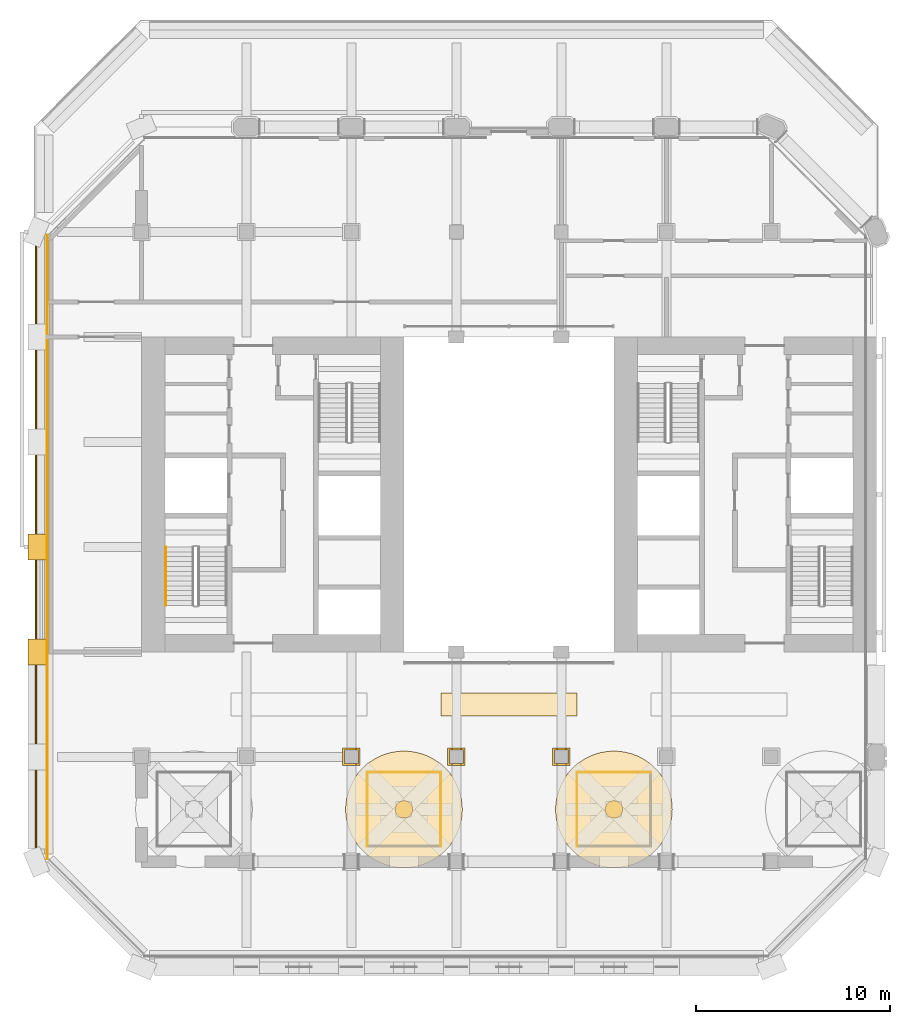
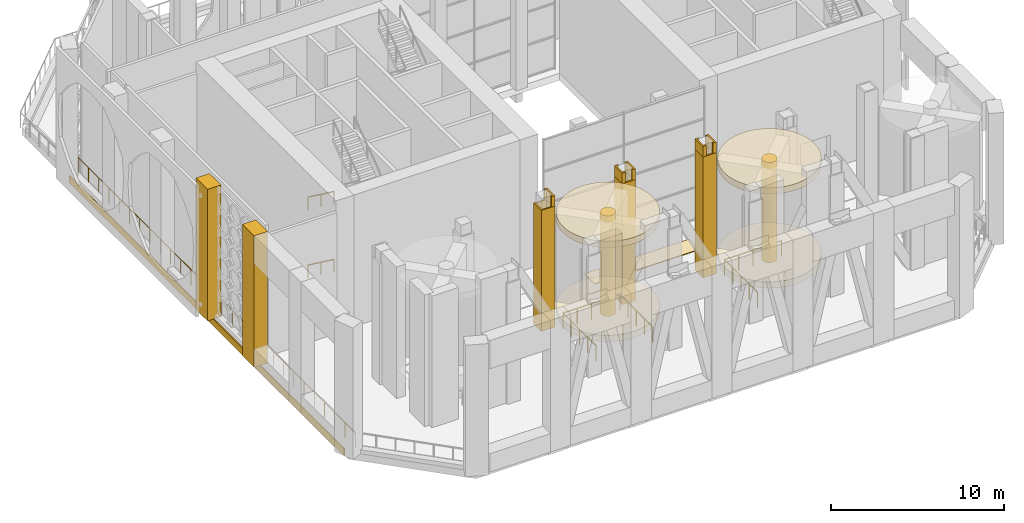
# One storey, part 22 of 28: 18 coverings, 8 railings.
"""IFC4 building model written with IfcOpenShell, lengths in metres."""

from ifc_helpers import new_model, si_unit, direction, frame, frame_2d, origin, origin_2d, place, context, subcontext, project, spatial, polyline, rectangle, circle, outline, extrude, material, layer, layer_set, material_profile, profile_set, type_object, element, save


model = new_model("IFC4")

# Units and contexts
model_context = context("Model", 3, precision=1e-05, world=origin(), true_north=direction((0.0, 1.0)))
body_context = subcontext(model_context, "Body", "Model", "MODEL_VIEW")
ifc_project = project(units=[si_unit("LENGTHUNIT", "METRE"), si_unit("AREAUNIT", "SQUARE_METRE"), si_unit("VOLUMEUNIT", "CUBIC_METRE"), si_unit("PLANEANGLEUNIT", "RADIAN"), si_unit("MASSUNIT", "GRAM", prefix="KILO")], contexts=[model_context])

# Site, building, storey
site_placement = place(None, origin())
site = spatial("IfcSite", under=ifc_project, at=site_placement, CompositionType="ELEMENT")
building_placement = place(site_placement, origin())
building = spatial("IfcBuilding", under=site, at=building_placement, Name="Tabaq Tower and Sports Hall", CompositionType="ELEMENT")
storey_placement = place(building_placement, frame((0.0, 0.0, 233.5)))
storey = spatial("IfcBuildingStorey", under=building, at=storey_placement, Name="L59", CompositionType="ELEMENT", Elevation=233.5)

# Coverings
ifc_material_1 = material(Name="Precast concrete C60/75", Category="concrete")
ifc_layer_1 = layer(ifc_material_1, 0.10009765625)
ifc_layer_set_1 = layer_set([ifc_layer_1], Name="Column cladding 100")
covering_type_1 = type_object("IfcCoveringType", Name="Column cladding 100", PredefinedType="CLADDING", material=ifc_layer_set_1)
covering_1_placement = place(storey_placement, origin())
element("IfcCovering", 1, at=covering_1_placement, inside=storey, type_object=covering_type_1, Name="Column cladding L59 CC-4C-S2", PredefinedType="CLADDING", context=body_context, shape_type="SweptSolid", body=[
    extrude(outline(polyline([(15.750244140625, 11.249755859375), (16.649658203125, 11.249755859375), (16.649658203125, 10.350341796875), (15.750244140625, 10.350341796875), (15.750244140625, 11.249755859375)]), holes=[polyline([(16.55029296875, 10.44970703125), (16.55029296875, 11.150390625), (15.849609375, 11.150390625), (15.849609375, 10.44970703125), (16.55029296875, 10.44970703125)])]), origin(), (0.0, 0.0, 1.0), 8.550048828125),
])
covering_2_placement = place(storey_placement, frame((0.0, 0.0, 8.550048828125)))
element("IfcCovering", 2, at=covering_2_placement, inside=storey, type_object=covering_type_1, Name="Column cladding L59 CC-4C-S2 head", PredefinedType="CLADDING", context=body_context, shape_type="SweptSolid", body=[
    extrude(outline(polyline([(16.425537109375, 10.449462890625), (16.550537109375, 10.449462890625), (16.550537109375, 11.150634765625), (16.425537109375, 11.150634765625), (16.425537109375, 11.24951171875), (16.6494140625, 11.24951171875), (16.6494140625, 10.3505859375), (16.425537109375, 10.3505859375), (16.425537109375, 10.449462890625)])), origin(), (0.0, 0.0, 1.0), 0.75),
])
covering_3_placement = place(storey_placement, origin())
element("IfcCovering", 3, at=covering_3_placement, inside=storey, type_object=covering_type_1, Name="Column cladding L59 CC-5C-S2", PredefinedType="CLADDING", context=body_context, shape_type="SweptSolid", body=[
    extrude(outline(polyline([(21.150390625, 11.249755859375), (22.0498046875, 11.249755859375), (22.0498046875, 10.350341796875), (21.150390625, 10.350341796875), (21.150390625, 11.249755859375)]), holes=[polyline([(21.9501953125, 10.44970703125), (21.9501953125, 11.150390625), (21.249755859375, 11.150390625), (21.249755859375, 10.44970703125), (21.9501953125, 10.44970703125)])]), origin(), (0.0, 0.0, 1.0), 8.550048828125),
])
covering_4_placement = place(storey_placement, frame((0.0, 0.0, 8.550048828125)))
element("IfcCovering", 4, at=covering_4_placement, inside=storey, type_object=covering_type_1, Name="Column cladding L59 CC-5C-S2 head", PredefinedType="CLADDING", context=body_context, shape_type="SweptSolid", body=[
    extrude(outline(polyline([(21.37451171875, 10.449462890625), (21.37451171875, 10.3505859375), (21.150634765625, 10.3505859375), (21.150634765625, 11.24951171875), (21.37451171875, 11.24951171875), (21.37451171875, 11.150634765625), (21.24951171875, 11.150634765625), (21.24951171875, 10.449462890625), (21.37451171875, 10.449462890625)])), origin(), (0.0, 0.0, 1.0), 0.75),
])
covering_5_placement = place(storey_placement, frame((0.0, 0.0, 8.550048828125)))
element("IfcCovering", 5, at=covering_5_placement, inside=storey, type_object=covering_type_1, Name="Column cladding L59 CC-5C-S2 head 2", PredefinedType="CLADDING", context=body_context, shape_type="SweptSolid", body=[
    extrude(outline(polyline([(21.82568359375, 10.449462890625), (21.95068359375, 10.449462890625), (21.95068359375, 11.150634765625), (21.82568359375, 11.150634765625), (21.82568359375, 11.24951171875), (22.04931640625, 11.24951171875), (22.04931640625, 10.3505859375), (21.82568359375, 10.3505859375), (21.82568359375, 10.449462890625)])), origin(), (0.0, 0.0, 1.0), 0.75),
])
covering_6_placement = place(storey_placement, origin())
element("IfcCovering", 6, at=covering_6_placement, inside=storey, type_object=covering_type_1, Name="Column cladding L59 CC-6C-S2", PredefinedType="CLADDING", context=body_context, shape_type="SweptSolid", body=[
    extrude(outline(polyline([(26.55029296875, 11.249755859375), (27.44970703125, 11.249755859375), (27.44970703125, 10.350341796875), (26.55029296875, 10.350341796875), (26.55029296875, 11.249755859375)]), holes=[polyline([(27.350341796875, 10.44970703125), (27.350341796875, 11.150390625), (26.649658203125, 11.150390625), (26.649658203125, 10.44970703125), (27.350341796875, 10.44970703125)])]), origin(), (0.0, 0.0, 1.0), 8.550048828125),
])
covering_7_placement = place(storey_placement, frame((0.0, 0.0, 8.550048828125)))
element("IfcCovering", 7, at=covering_7_placement, inside=storey, type_object=covering_type_1, Name="Column cladding L59 CC-6C-S2 head", PredefinedType="CLADDING", context=body_context, shape_type="SweptSolid", body=[
    extrude(outline(polyline([(26.7744140625, 10.449462890625), (26.7744140625, 10.3505859375), (26.550537109375, 10.3505859375), (26.550537109375, 11.24951171875), (26.7744140625, 11.24951171875), (26.7744140625, 11.150634765625), (26.6494140625, 11.150634765625), (26.6494140625, 10.449462890625), (26.7744140625, 10.449462890625)])), origin(), (0.0, 0.0, 1.0), 0.75),
])
covering_8_placement = place(storey_placement, frame((0.0, 0.0, 8.550048828125)))
element("IfcCovering", 8, at=covering_8_placement, inside=storey, type_object=covering_type_1, Name="Column cladding L59 CC-6C-S2 head 2", PredefinedType="CLADDING", context=body_context, shape_type="SweptSolid", body=[
    extrude(outline(polyline([(27.2255859375, 10.449462890625), (27.3505859375, 10.449462890625), (27.3505859375, 11.150634765625), (27.2255859375, 11.150634765625), (27.2255859375, 11.24951171875), (27.449462890625, 11.24951171875), (27.449462890625, 10.3505859375), (27.2255859375, 10.3505859375), (27.2255859375, 10.449462890625)])), origin(), (0.0, 0.0, 1.0), 0.75),
])
ifc_material_2 = material(Name="Precast concrete C60/75", Category="concrete")
ifc_layer_2 = layer(ifc_material_2, 0.06005859375)
ifc_layer_set_2 = layer_set([ifc_layer_2], Name="Edge beam cladding 60")
covering_type_2 = type_object("IfcCoveringType", Name="Edge beam cladding 60", PredefinedType="CLADDING", material=ifc_layer_set_2)
covering_9_placement = place(storey_placement, frame((-0.030029296875, 37.63818359375, -0.5), z_axis=(0.0, 0.0, 1.0), x_axis=(0.0, -1.0, 0.0)))
element("IfcCovering", 9, at=covering_9_placement, inside=storey, type_object=covering_type_2, Name="Edge beam cladding L59 1", PredefinedType="CLADDING", context=body_context, shape_type="SweptSolid", body=[
    extrude(rectangle(XDim=31.836181640625, YDim=0.06005859375, at=frame_2d((15.91796875, 0.0))), origin(), (0.0, 0.0, 1.0), 0.5),
])

# Railings
ifc_material_3 = material(Name="Stainless steel S316 and laminated glass", Category="steel")
railing_type_1 = type_object("IfcRailingType", Name="Guard 1100 steel and glass", PredefinedType="GUARDRAIL", material=ifc_material_3)
railing_1_placement = place(storey_placement, frame((0.550048828125, 37.63427734375, 0.0)))
element("IfcRailing", 10, at=railing_1_placement, inside=storey, type_object=railing_type_1, Name="Guard L59 W", PredefinedType="GUARDRAIL", context=body_context, shape_type="SweptSolid", body=[
    extrude(circle(Radius=0.02490234375, at=origin_2d()), frame((0.0, 0.0, 1.0751953125), z_axis=(0.0, -1.0, 0.0), x_axis=(1.0, 0.0, 0.0)), (0.0, 0.0, 1.0), 32.068603515625),
    extrude(circle(Radius=0.02001953125, at=origin_2d()), origin(), (0.0, 0.0, 1.0), 1.050048828125),
    extrude(circle(Radius=0.02001953125, at=origin_2d()), frame((0.0, -1.187744140625, 0.0)), (0.0, 0.0, 1.0), 1.050048828125),
    extrude(circle(Radius=0.02001953125, at=origin_2d()), frame((0.0, -2.37548828125, 0.0)), (0.0, 0.0, 1.0), 1.050048828125),
    extrude(circle(Radius=0.02001953125, at=origin_2d()), frame((0.0, -3.563232421875, 0.0)), (0.0, 0.0, 1.0), 1.050048828125),
    extrude(circle(Radius=0.02001953125, at=origin_2d()), frame((0.0, -4.7509765625, 0.0)), (0.0, 0.0, 1.0), 1.050048828125),
    extrude(circle(Radius=0.02001953125, at=origin_2d()), frame((0.0, -5.938720703125, 0.0)), (0.0, 0.0, 1.0), 1.050048828125),
    extrude(circle(Radius=0.02001953125, at=origin_2d()), frame((0.0, -7.12646484375, 0.0)), (0.0, 0.0, 1.0), 1.050048828125),
    extrude(circle(Radius=0.02001953125, at=origin_2d()), frame((0.0, -8.31396484375, 0.0)), (0.0, 0.0, 1.0), 1.050048828125),
    extrude(circle(Radius=0.02001953125, at=origin_2d()), frame((0.0, -9.501708984375, 0.0)), (0.0, 0.0, 1.0), 1.050048828125),
    extrude(circle(Radius=0.02001953125, at=origin_2d()), frame((0.0, -10.689453125, 0.0)), (0.0, 0.0, 1.0), 1.050048828125),
    extrude(circle(Radius=0.02001953125, at=origin_2d()), frame((0.0, -11.877197265625, 0.0)), (0.0, 0.0, 1.0), 1.050048828125),
    extrude(circle(Radius=0.02001953125, at=origin_2d()), frame((0.0, -13.06494140625, 0.0)), (0.0, 0.0, 1.0), 1.050048828125),
    extrude(circle(Radius=0.02001953125, at=origin_2d()), frame((0.0, -14.252685546875, 0.0)), (0.0, 0.0, 1.0), 1.050048828125),
    extrude(circle(Radius=0.02001953125, at=origin_2d()), frame((0.0, -15.4404296875, 0.0)), (0.0, 0.0, 1.0), 1.050048828125),
    extrude(circle(Radius=0.02001953125, at=origin_2d()), frame((0.0, -16.628173828125, 0.0)), (0.0, 0.0, 1.0), 1.050048828125),
    extrude(circle(Radius=0.02001953125, at=origin_2d()), frame((0.0, -17.81591796875, 0.0)), (0.0, 0.0, 1.0), 1.050048828125),
    extrude(circle(Radius=0.02001953125, at=origin_2d()), frame((0.0, -19.003662109375, 0.0)), (0.0, 0.0, 1.0), 1.050048828125),
    extrude(circle(Radius=0.02001953125, at=origin_2d()), frame((0.0, -20.19140625, 0.0)), (0.0, 0.0, 1.0), 1.050048828125),
    extrude(circle(Radius=0.02001953125, at=origin_2d()), frame((0.0, -21.379150390625, 0.0)), (0.0, 0.0, 1.0), 1.050048828125),
    extrude(circle(Radius=0.02001953125, at=origin_2d()), frame((0.0, -22.56689453125, 0.0)), (0.0, 0.0, 1.0), 1.050048828125),
    extrude(circle(Radius=0.02001953125, at=origin_2d()), frame((0.0, -23.754638671875, 0.0)), (0.0, 0.0, 1.0), 1.050048828125),
    extrude(circle(Radius=0.02001953125, at=origin_2d()), frame((0.0, -24.942138671875, 0.0)), (0.0, 0.0, 1.0), 1.050048828125),
    extrude(circle(Radius=0.02001953125, at=origin_2d()), frame((0.0, -26.1298828125, 0.0)), (0.0, 0.0, 1.0), 1.050048828125),
    extrude(circle(Radius=0.02001953125, at=origin_2d()), frame((0.0, -27.317626953125, 0.0)), (0.0, 0.0, 1.0), 1.050048828125),
    extrude(circle(Radius=0.02001953125, at=origin_2d()), frame((0.0, -28.50537109375, 0.0)), (0.0, 0.0, 1.0), 1.050048828125),
    extrude(circle(Radius=0.02001953125, at=origin_2d()), frame((0.0, -29.693115234375, 0.0)), (0.0, 0.0, 1.0), 1.050048828125),
    extrude(circle(Radius=0.02001953125, at=origin_2d()), frame((0.0, -30.880859375, 0.0)), (0.0, 0.0, 1.0), 1.050048828125),
    extrude(circle(Radius=0.02001953125, at=origin_2d()), frame((0.0, -32.068603515625, 0.0)), (0.0, 0.0, 1.0), 1.050048828125),
])
railing_2_placement = place(storey_placement, frame((20.800048828125, 6.199951171875, 0.0)))
element("IfcRailing", 11, at=railing_2_placement, inside=storey, type_object=railing_type_1, Name="Turbine guard 2", PredefinedType="GUARDRAIL", context=body_context, shape_type="SweptSolid", body=[
    extrude(circle(Radius=0.02490234375, at=origin_2d()), frame((0.0, 0.0, 1.0751953125), z_axis=(0.0, 1.0, 0.0), x_axis=(-1.0, 0.0, 0.0)), (0.0, 0.0, 1.0), 3.800048828125),
    extrude(circle(Radius=0.02001953125, at=origin_2d()), origin(), (0.0, 0.0, 1.0), 1.050048828125),
    extrude(circle(Radius=0.02001953125, at=origin_2d()), frame((0.0, 0.949951171875, 0.0)), (0.0, 0.0, 1.0), 1.050048828125),
    extrude(circle(Radius=0.02001953125, at=origin_2d()), frame((0.0, 1.89990234375, 0.0)), (0.0, 0.0, 1.0), 1.050048828125),
    extrude(circle(Radius=0.02001953125, at=origin_2d()), frame((0.0, 2.85009765625, 0.0)), (0.0, 0.0, 1.0), 1.050048828125),
    extrude(circle(Radius=0.02001953125, at=origin_2d()), frame((0.0, 3.800048828125, 0.0)), (0.0, 0.0, 1.0), 1.050048828125),
])
railing_3_placement = place(storey_placement, frame((20.800048828125, 10.0, 0.0)))
element("IfcRailing", 12, at=railing_3_placement, inside=storey, type_object=railing_type_1, Name="Turbine guard 2", PredefinedType="GUARDRAIL", context=body_context, shape_type="SweptSolid", body=[
    extrude(circle(Radius=0.02490234375, at=origin_2d()), frame((0.0, 0.0, 1.0751953125), z_axis=(-1.0, 0.0, 0.0), x_axis=(0.0, -1.0, 0.0)), (0.0, 0.0, 1.0), 3.800048828125),
    extrude(circle(Radius=0.02001953125, at=origin_2d()), origin(), (0.0, 0.0, 1.0), 1.050048828125),
    extrude(circle(Radius=0.02001953125, at=origin_2d()), frame((-0.949951171875, 0.0, 0.0)), (0.0, 0.0, 1.0), 1.050048828125),
    extrude(circle(Radius=0.02001953125, at=origin_2d()), frame((-1.89990234375, 0.0, 0.0)), (0.0, 0.0, 1.0), 1.050048828125),
    extrude(circle(Radius=0.02001953125, at=origin_2d()), frame((-2.85009765625, 0.0, 0.0)), (0.0, 0.0, 1.0), 1.050048828125),
    extrude(circle(Radius=0.02001953125, at=origin_2d()), frame((-3.800048828125, 0.0, 0.0)), (0.0, 0.0, 1.0), 1.050048828125),
])
railing_4_placement = place(storey_placement, frame((17.0, 10.0, 0.0)))
element("IfcRailing", 13, at=railing_4_placement, inside=storey, type_object=railing_type_1, Name="Turbine guard 2", PredefinedType="GUARDRAIL", context=body_context, shape_type="SweptSolid", body=[
    extrude(circle(Radius=0.02490234375, at=origin_2d()), frame((0.0, 0.0, 1.0751953125), z_axis=(0.0, -1.0, 0.0), x_axis=(1.0, 0.0, 0.0)), (0.0, 0.0, 1.0), 3.800048828125),
    extrude(circle(Radius=0.02001953125, at=origin_2d()), origin(), (0.0, 0.0, 1.0), 1.050048828125),
    extrude(circle(Radius=0.02001953125, at=origin_2d()), frame((0.0, -0.949951171875, 0.0)), (0.0, 0.0, 1.0), 1.050048828125),
    extrude(circle(Radius=0.02001953125, at=origin_2d()), frame((0.0, -1.89990234375, 0.0)), (0.0, 0.0, 1.0), 1.050048828125),
    extrude(circle(Radius=0.02001953125, at=origin_2d()), frame((0.0, -2.85009765625, 0.0)), (0.0, 0.0, 1.0), 1.050048828125),
    extrude(circle(Radius=0.02001953125, at=origin_2d()), frame((0.0, -3.800048828125, 0.0)), (0.0, 0.0, 1.0), 1.050048828125),
])
railing_5_placement = place(storey_placement, frame((31.60009765625, 10.0, 0.0)))
element("IfcRailing", 14, at=railing_5_placement, inside=storey, type_object=railing_type_1, Name="Turbine guard 3", PredefinedType="GUARDRAIL", context=body_context, shape_type="SweptSolid", body=[
    extrude(circle(Radius=0.02490234375, at=origin_2d()), frame((0.0, 0.0, 1.0751953125), z_axis=(-1.0, 0.0, 0.0), x_axis=(0.0, -1.0, 0.0)), (0.0, 0.0, 1.0), 3.800048828125),
    extrude(circle(Radius=0.02001953125, at=origin_2d()), origin(), (0.0, 0.0, 1.0), 1.050048828125),
    extrude(circle(Radius=0.02001953125, at=origin_2d()), frame((-0.949951171875, 0.0, 0.0)), (0.0, 0.0, 1.0), 1.050048828125),
    extrude(circle(Radius=0.02001953125, at=origin_2d()), frame((-1.89990234375, 0.0, 0.0)), (0.0, 0.0, 1.0), 1.050048828125),
    extrude(circle(Radius=0.02001953125, at=origin_2d()), frame((-2.85009765625, 0.0, 0.0)), (0.0, 0.0, 1.0), 1.050048828125),
    extrude(circle(Radius=0.02001953125, at=origin_2d()), frame((-3.800048828125, 0.0, 0.0)), (0.0, 0.0, 1.0), 1.050048828125),
])
railing_6_placement = place(storey_placement, frame((27.800048828125, 10.0, 0.0)))
element("IfcRailing", 15, at=railing_6_placement, inside=storey, type_object=railing_type_1, Name="Turbine guard 3", PredefinedType="GUARDRAIL", context=body_context, shape_type="SweptSolid", body=[
    extrude(circle(Radius=0.02490234375, at=origin_2d()), frame((0.0, 0.0, 1.0751953125), z_axis=(0.0, -1.0, 0.0), x_axis=(1.0, 0.0, 0.0)), (0.0, 0.0, 1.0), 3.800048828125),
    extrude(circle(Radius=0.02001953125, at=origin_2d()), origin(), (0.0, 0.0, 1.0), 1.050048828125),
    extrude(circle(Radius=0.02001953125, at=origin_2d()), frame((0.0, -0.949951171875, 0.0)), (0.0, 0.0, 1.0), 1.050048828125),
    extrude(circle(Radius=0.02001953125, at=origin_2d()), frame((0.0, -1.89990234375, 0.0)), (0.0, 0.0, 1.0), 1.050048828125),
    extrude(circle(Radius=0.02001953125, at=origin_2d()), frame((0.0, -2.85009765625, 0.0)), (0.0, 0.0, 1.0), 1.050048828125),
    extrude(circle(Radius=0.02001953125, at=origin_2d()), frame((0.0, -3.800048828125, 0.0)), (0.0, 0.0, 1.0), 1.050048828125),
])

# Coverings
ifc_material_4 = material(Name="White precast concrete C60/75", Category="concrete")
covering_type_3 = type_object("IfcCoveringType", Name="Pier cladding hung 1350x900", PredefinedType="CLADDING", material=ifc_material_4)
covering_10_placement = place(storey_placement, frame((0.0, 16.875, 0.0), z_axis=(0.0, 0.0, 1.0), x_axis=(0.0, -1.0, 0.0)))
element("IfcCovering", 16, at=covering_10_placement, inside=storey, type_object=covering_type_3, Name="Hung pier cladding 0/3", PredefinedType="CLADDING", context=body_context, shape_type="SweptSolid", body=[
    extrude(rectangle(XDim=1.35009765625, YDim=0.89990234375, at=frame_2d((0.675048828125, 0.0))), origin(), (0.0, 0.0, 1.0), 9.300048828125),
])
covering_11_placement = place(storey_placement, frame((0.0, 22.27490234375, 0.0), z_axis=(0.0, 0.0, 1.0), x_axis=(0.0, -1.0, 0.0)))
element("IfcCovering", 17, at=covering_11_placement, inside=storey, type_object=covering_type_3, Name="Hung pier cladding 0/4", PredefinedType="CLADDING", context=body_context, shape_type="SweptSolid", body=[
    extrude(rectangle(XDim=1.349853515625, YDim=0.89990234375, at=frame_2d((0.6748046875, 0.0))), origin(), (0.0, 0.0, 1.0), 9.300048828125),
])

# Railings
ifc_material_5 = material(Name="Stainless steel", Category="steel")
railing_type_2 = type_object("IfcRailingType", Name="Stair handrail", PredefinedType="HANDRAIL", material=ifc_material_5)
for number, where, name in (
    (18, (6.64990234375, 21.60009765625, 0.1845703125), "L59 ST1 stair handrail 1"),
    (19, (6.64990234375, 21.60009765625, 4.984619140625), "L59 ST1 stair handrail 3"),
):
    element("IfcRailing", number, at=place(storey_placement, frame(where)), inside=storey, type_object=railing_type_2, Name=name, PredefinedType="HANDRAIL", context=body_context, shape_type="SweptSolid", body=[
        extrude(circle(Radius=0.02392578125, at=origin_2d()), frame((0.0, 0.0, 0.8759765625), z_axis=(0.0, -0.804440004972, 0.594033903411), x_axis=(1.0, 0.0, 0.0)), (0.0, 0.0, 1.0), 3.729248046875),
        extrude(circle(Radius=0.02099609375, at=origin_2d()), origin(), (0.0, 0.0, 1.0), 0.851806640625),
        extrude(circle(Radius=0.02099609375, at=origin_2d()), frame((0.0, -1.5, 1.107666015625)), (0.0, 0.0, 1.0), 0.851806640625),
        extrude(circle(Radius=0.02099609375, at=origin_2d()), frame((0.0, -3.0, 2.21533203125)), (0.0, 0.0, 1.0), 0.851806640625),
    ])

# Coverings
ifc_material_6 = material(Name="Galvanised steel grating", Category="steel")
ifc_layer_3 = layer(ifc_material_6, 0.050048828125)
ifc_layer_set_3 = layer_set([ifc_layer_3], Name="Walkway grating WG1")
covering_type_4 = type_object("IfcCoveringType", Name="Walkway grating WG1", PredefinedType="FLOORING", material=ifc_layer_set_3)
covering_12_placement = place(storey_placement, frame((24.300048828125, 13.5, 0.0), z_axis=(0.0, 0.0, 1.0), x_axis=(1.0, 0.0, 0.0)))
element("IfcCovering", 20, at=covering_12_placement, inside=storey, type_object=covering_type_4, Name="Maintenance walkway", PredefinedType="FLOORING", context=body_context, shape_type="SweptSolid", body=[
    extrude(rectangle(XDim=7.0, YDim=1.199951171875, at=origin_2d()), origin(), (0.0, 0.0, 1.0), 0.050048828125),
])
ifc_material_7 = material(Name="Galvanised steel tube", Category="steel")
ifc_material_profile_1 = material_profile(ifc_material_7, circle(Radius=0.449951171875, at=origin_2d()), Name="Wind turbine mast 900 steel tube")
ifc_profile_set_1 = profile_set([ifc_material_profile_1], Name="Galvanised steel tube")
covering_type_5 = type_object("IfcCoveringType", Name="Wind turbine mast 900 steel tube", PredefinedType="USERDEFINED", material=ifc_profile_set_1)
for number, where, z_axis, x_axis, name in (
    (21, (18.89990234375, 8.10009765625, 8.739990234375), (0.0, 0.0, -1.0), (1.0, 0.0, 0.0), "Wind turbine 2 mast"),
    (22, (29.699951171875, 8.10009765625, 8.739990234375), (0.0, 0.0, -1.0), (1.0, 0.0, 0.0), "Wind turbine 3 mast"),
):
    element("IfcCovering", number, at=place(storey_placement, frame(where, z_axis=z_axis, x_axis=x_axis)), inside=storey, type_object=covering_type_5, Name=name, ObjectType="WIND TURBINE", PredefinedType="USERDEFINED", context=body_context, shape_type="SweptSolid", body=[
        extrude(circle(Radius=0.449951171875, at=origin_2d()), origin(), (0.0, 0.0, 1.0), 7.10009765625),
    ])
ifc_material_8 = material(Name="Aluminium alloy 6063-T6 ring plate", Category="aluminium")
ifc_material_profile_2 = material_profile(ifc_material_8, circle(Radius=3.0, at=origin_2d()), Name="Wind turbine ring 6000x450")
ifc_profile_set_2 = profile_set([ifc_material_profile_2], Name="Aluminium alloy 6063-T6 ring plate")
covering_type_6 = type_object("IfcCoveringType", Name="Wind turbine ring 6000x450", PredefinedType="USERDEFINED", material=ifc_profile_set_2)
for number, where, z_axis, x_axis, name in (
    (23, (18.89990234375, 8.10009765625, 2.090087890625), (0.0, 0.0, -1.0), (1.0, 0.0, 0.0), "Wind turbine 2 base ring"),
    (24, (18.89990234375, 8.10009765625, 8.739990234375), (0.0, 0.0, -1.0), (1.0, 0.0, 0.0), "Wind turbine 2 top ring"),
    (25, (29.699951171875, 8.10009765625, 2.090087890625), (0.0, 0.0, -1.0), (1.0, 0.0, 0.0), "Wind turbine 3 base ring"),
    (26, (29.699951171875, 8.10009765625, 8.739990234375), (0.0, 0.0, -1.0), (1.0, 0.0, 0.0), "Wind turbine 3 top ring"),
):
    element("IfcCovering", number, at=place(storey_placement, frame(where, z_axis=z_axis, x_axis=x_axis)), inside=storey, type_object=covering_type_6, Name=name, ObjectType="WIND TURBINE", PredefinedType="USERDEFINED", context=body_context, shape_type="SweptSolid", body=[
        extrude(circle(Radius=3.0, at=origin_2d()), origin(), (0.0, 0.0, 1.0), 0.449951171875),
    ])

save(model, "model.ifc")
